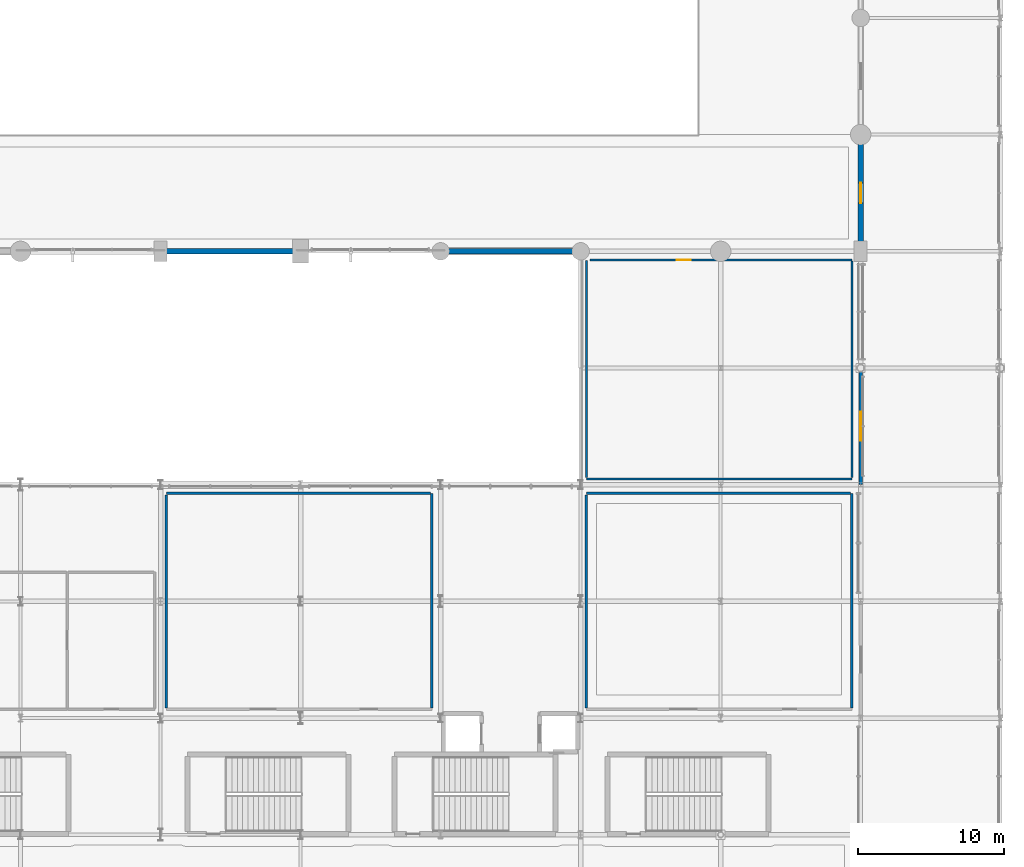
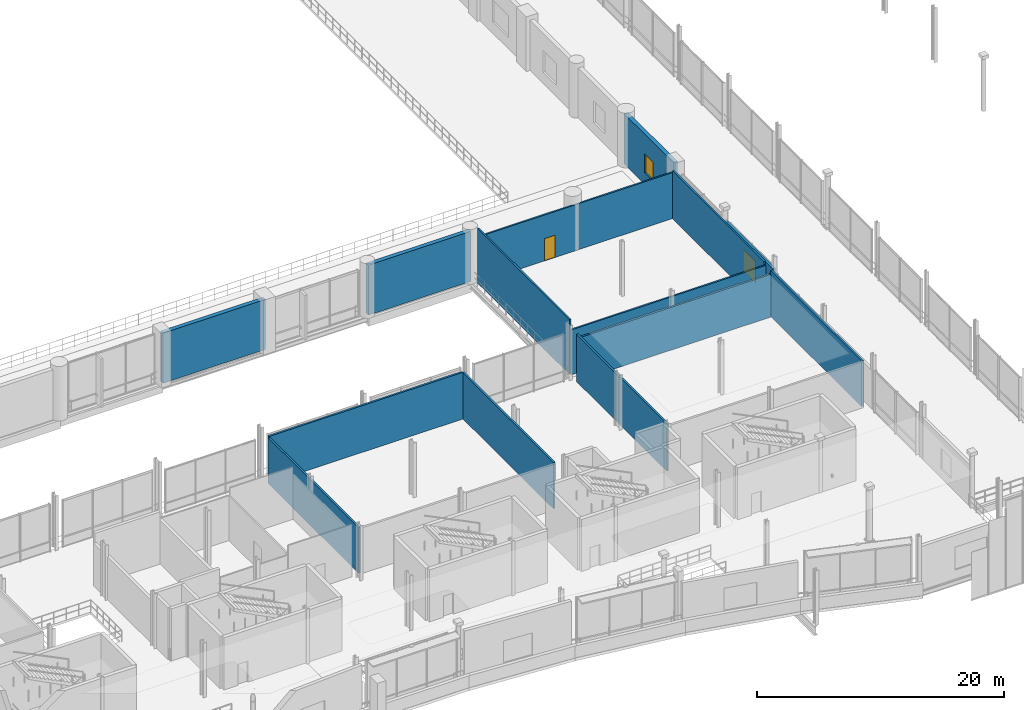
# One storey, part 78 of 129: 14 walls, 2 windows, 1 door, 3 openings.
"""IFC4 building model written with IfcOpenShell, lengths in metres."""

from ifc_helpers import new_model, si_unit, direction, frame, frame_2d, origin, place, context, subcontext, project, spatial, rectangle, extrude, material, layer, layer_set, type_object, element, fill, save


model = new_model("IFC4")

# Units and contexts
model_context = context("Model", 3, precision=1e-05, world=origin(), true_north=direction((0.0, 1.0)))
body_context = subcontext(model_context, "Body", "Model", "MODEL_VIEW")
ifc_project = project(units=[si_unit("LENGTHUNIT", "METRE"), si_unit("AREAUNIT", "SQUARE_METRE"), si_unit("VOLUMEUNIT", "CUBIC_METRE"), si_unit("PLANEANGLEUNIT", "RADIAN"), si_unit("MASSUNIT", "GRAM", prefix="KILO")], contexts=[model_context])

# Site, building, storey
site_placement = place(None, origin())
site = spatial("IfcSite", under=ifc_project, at=site_placement, CompositionType="ELEMENT")
building_placement = place(site_placement, origin())
building = spatial("IfcBuilding", under=site, at=building_placement, Name="Danafjord Basin Convention Centre", CompositionType="ELEMENT")
storey_placement = place(building_placement, frame((0.0, 0.0, 6.0)))
storey = spatial("IfcBuildingStorey", under=building, at=storey_placement, Name="L01", CompositionType="ELEMENT", Elevation=6.0)

# Walls
ifc_material_1 = material(Name="Precast concrete C45/55", Category="concrete")
ifc_layer_1 = layer(ifc_material_1, 0.3798828125)
ifc_layer_set_1 = layer_set([ifc_layer_1], Name="Precast concrete C45/55")
wall_type_1 = type_object("IfcWallType", Name="WALL-EW-PC380", PredefinedType="SOLIDWALL", material=ifc_layer_set_1)
for number, where, z_axis, x_axis, name in (
    (1, (67.199951171875, 56.0, 0.0), (0.0, 0.0, 1.0), (1.0, 0.0, 0.0), "Exhibition hall S upper acoustic precast wall"),
    (2, (86.39990234375, 56.0, 0.0), (0.0, 0.0, 1.0), (1.0, 0.0, 0.0), "Exhibition hall S upper acoustic precast wall"),
):
    element("IfcWall", number, at=place(storey_placement, frame(where, z_axis=z_axis, x_axis=x_axis)), inside=storey, type_object=wall_type_1, Name=name, PredefinedType="SOLIDWALL", context=body_context, shape_type="SweptSolid", body=[
        extrude(rectangle(XDim=9.60009765625, YDim=0.3798828125, at=frame_2d((4.800048828125, 0.0))), origin(), (0.0, 0.0, 1.0), 4.949951171875),
    ])

# Wall, opening, window
wall_1_placement = place(storey_placement, frame((115.199951171875, 56.0, 0.0), z_axis=(0.0, 0.0, 1.0), x_axis=(0.0, 1.0, 0.0)))
wall_1 = element("IfcWall", 3, at=wall_1_placement, inside=storey, type_object=wall_type_1, Name="Exhibition hall E upper precast wall", PredefinedType="SOLIDWALL", context=body_context, shape_type="SweptSolid", body=[
    extrude(rectangle(XDim=8.0, YDim=0.3798828125, at=frame_2d((4.0, 0.0))), origin(), (0.0, 0.0, 1.0), 4.949951171875),
])
opening_1_placement = place(wall_1_placement, frame((3.300048828125, 0.0, 1.10009765625)))
opening_1 = element("IfcOpeningElement", 4, at=opening_1_placement, cuts=wall_1, Name="Opening WN-02", PredefinedType="OPENING", context=body_context, shape_type="SweptSolid", body=[
    extrude(rectangle(XDim=1.39990234375, YDim=1.89990234375, at=frame_2d((0.699951171875, 0.949951171875))), frame((0.0, 0.199951171875, 0.0), z_axis=(0.0, -1.0, 0.0), x_axis=(1.0, 0.0, 0.0)), (0.0, 0.0, 1.0), 0.39990234375),
])
ifc_material_2 = material(Name="Thermally broken aluminium and triple low-E glass", Category="aluminium")
window_type_1 = type_object("IfcWindowType", Name="WIN-WN-02", PartitioningType="SINGLE_PANEL", PredefinedType="WINDOW", material=ifc_material_2)
window_1_placement = place(opening_1_placement, origin())
window_1 = element("IfcWindow", 5, at=window_1_placement, inside=storey, type_object=window_type_1, Name="L01 hall window WN-02", OverallHeight=1.89990234375, OverallWidth=1.39990234375, PartitioningType="SINGLE_PANEL", PredefinedType="WINDOW", context=body_context, shape_type="SweptSolid", body=[
    extrude(rectangle(XDim=1.39990234375, YDim=1.89990234375, at=frame_2d((0.699951171875, 0.949951171875))), frame((0.0, 0.030029296875, 0.0), z_axis=(0.0, -1.0, 0.0), x_axis=(1.0, 0.0, 0.0)), (0.0, 0.0, 1.0), 0.06005859375),
])
fill(opening_1, window_1)

ifc_material_3 = material(Name="Concrete C35/45", Category="concrete")
ifc_layer_2 = layer(ifc_material_3, 0.260009765625)
ifc_layer_set_2 = layer_set([ifc_layer_2], Name="Concrete C35/45")
wall_type_2 = type_object("IfcWallType", Name="WALL-EW-STD260", PredefinedType="STANDARD", material=ifc_layer_set_2)
wall_2_placement = place(storey_placement, frame((115.199951171875, 40.0, 0.0), z_axis=(0.0, 0.0, 1.0), x_axis=(0.0, 1.0, 0.0)))
wall_2 = element("IfcWall", 6, at=wall_2_placement, inside=storey, type_object=wall_type_2, Name="L01 E wing facade wall", PredefinedType="STANDARD", context=body_context, shape_type="SweptSolid", body=[
    extrude(rectangle(XDim=8.0, YDim=0.260009765625, at=frame_2d((4.0, 0.0))), origin(), (0.0, 0.0, 1.0), 4.10498046875),
])
opening_2_placement = place(wall_2_placement, frame((3.0, 0.0, 0.89990234375)))
opening_2 = element("IfcOpeningElement", 7, at=opening_2_placement, cuts=wall_2, Name="Opening WN-05", PredefinedType="OPENING", context=body_context, shape_type="SweptSolid", body=[
    extrude(rectangle(XDim=2.0, YDim=2.10009765625, at=frame_2d((1.0, 1.050048828125))), frame((0.0, 0.139892578125, 0.0), z_axis=(0.0, -1.0, 0.0), x_axis=(1.0, 0.0, 0.0)), (0.0, 0.0, 1.0), 0.280029296875),
])
window_type_2 = type_object("IfcWindowType", Name="WIN-WN-05", PartitioningType="SINGLE_PANEL", PredefinedType="WINDOW", material=ifc_material_2)
window_2_placement = place(opening_2_placement, origin())
window_2 = element("IfcWindow", 8, at=window_2_placement, inside=storey, type_object=window_type_2, Name="L01 E window WN-05", OverallHeight=2.10009765625, OverallWidth=2.0, PartitioningType="SINGLE_PANEL", PredefinedType="WINDOW", context=body_context, shape_type="SweptSolid", body=[
    extrude(rectangle(XDim=2.0, YDim=2.10009765625, at=frame_2d((1.0, 1.050048828125))), frame((0.0, 0.030029296875, 0.0), z_axis=(0.0, -1.0, 0.0), x_axis=(1.0, 0.0, 0.0)), (0.0, 0.0, 1.0), 0.06005859375),
])
fill(opening_2, window_2)

# Walls
ifc_material_4 = material(Name="Acoustic double-board gypsum stud partition")
ifc_layer_3 = layer(ifc_material_4, 0.175048828125)
ifc_layer_set_3 = layer_set([ifc_layer_3], Name="Acoustic double-board gypsum stud partition")
wall_type_3 = type_object("IfcWallType", Name="WALL-PT-AC175", PredefinedType="PARTITIONING", material=ifc_layer_set_3)
wall_3_placement = place(storey_placement, frame((85.800048828125, 24.69140625, 0.0), z_axis=(0.0, 0.0, 1.0), x_axis=(0.0, 1.0, 0.0)))
element("IfcWall", 9, at=wall_3_placement, inside=storey, type_object=wall_type_3, Name="Breakout Seminar Room M103 east partition", PredefinedType="PARTITIONING", context=body_context, shape_type="SweptSolid", body=[
    extrude(rectangle(XDim=14.70849609375, YDim=0.175048828125, at=frame_2d((7.354248046875, 0.0))), origin(), (0.0, 0.0, 1.0), 4.570068359375),
])
wall_4_placement = place(storey_placement, frame((85.70849609375, 39.39990234375, 0.0), z_axis=(0.0, 0.0, 1.0), x_axis=(-1.0, 0.0, 0.0)))
element("IfcWall", 10, at=wall_4_placement, inside=storey, type_object=wall_type_3, Name="Breakout Seminar Room M103 north partition", PredefinedType="PARTITIONING", context=body_context, shape_type="SweptSolid", body=[
    extrude(rectangle(XDim=18.1083984375, YDim=0.175048828125, at=frame_2d((9.05419921875, 0.0))), origin(), (0.0, 0.0, 1.0), 4.6201171875),
])
wall_5_placement = place(storey_placement, frame((67.60009765625, 39.30859375, 0.0), z_axis=(0.0, 0.0, 1.0), x_axis=(0.0, -1.0, 0.0)))
element("IfcWall", 11, at=wall_5_placement, inside=storey, type_object=wall_type_3, Name="Breakout Seminar Room M103 west partition", PredefinedType="PARTITIONING", context=body_context, shape_type="SweptSolid", body=[
    extrude(rectangle(XDim=14.6171875, YDim=0.175048828125, at=frame_2d((7.30859375, 0.0))), origin(), (0.0, 0.0, 1.0), 4.52001953125),
])
wall_6_placement = place(storey_placement, frame((114.60009765625, 24.69140625, 0.0), z_axis=(0.0, 0.0, 1.0), x_axis=(0.0, 1.0, 0.0)))
element("IfcWall", 12, at=wall_6_placement, inside=storey, type_object=wall_type_3, Name="Breakout Seminar Room M104 east partition", PredefinedType="PARTITIONING", context=body_context, shape_type="SweptSolid", body=[
    extrude(rectangle(XDim=14.70849609375, YDim=0.175048828125, at=frame_2d((7.354248046875, 0.0))), origin(), (0.0, 0.0, 1.0), 4.530029296875),
])
wall_7_placement = place(storey_placement, frame((114.508544921875, 39.39990234375, 0.0), z_axis=(0.0, 0.0, 1.0), x_axis=(-1.0, 0.0, 0.0)))
element("IfcWall", 13, at=wall_7_placement, inside=storey, type_object=wall_type_3, Name="Breakout Seminar Room M104 north partition", PredefinedType="PARTITIONING", context=body_context, shape_type="SweptSolid", body=[
    extrude(rectangle(XDim=18.108642578125, YDim=0.175048828125, at=frame_2d((9.05419921875, 0.0))), origin(), (0.0, 0.0, 1.0), 4.219970703125),
])
wall_8_placement = place(storey_placement, frame((96.39990234375, 39.30859375, 0.0), z_axis=(0.0, 0.0, 1.0), x_axis=(0.0, -1.0, 0.0)))
element("IfcWall", 14, at=wall_8_placement, inside=storey, type_object=wall_type_3, Name="Breakout Seminar Room M104 west partition", PredefinedType="PARTITIONING", context=body_context, shape_type="SweptSolid", body=[
    extrude(rectangle(XDim=14.6171875, YDim=0.175048828125, at=frame_2d((7.30859375, 0.0))), origin(), (0.0, 0.0, 1.0), 4.669921875),
])

# Wall, opening, door
ifc_material_5 = material(Name="Fire-rated gypsum metal-stud partition")
ifc_layer_4 = layer(ifc_material_5, 0.14990234375)
ifc_layer_set_4 = layer_set([ifc_layer_4], Name="Fire-rated gypsum metal-stud partition")
wall_type_4 = type_object("IfcWallType", Name="WALL-PT-ST150", PredefinedType="PARTITIONING", material=ifc_layer_set_4)
wall_9_placement = place(storey_placement, frame((114.60009765625, 55.39990234375, 0.0), z_axis=(0.0, 0.0, 1.0), x_axis=(-1.0, 0.0, 0.0)))
wall_9 = element("IfcWall", 15, at=wall_9_placement, inside=storey, type_object=wall_type_4, Name="Congress Organiser and Press Suite north partition", PredefinedType="PARTITIONING", context=body_context, shape_type="SweptSolid", body=[
    extrude(rectangle(XDim=17.960205078125, YDim=0.14990234375, at=frame_2d((8.97998046875, 0.0))), origin(), (0.0, 0.0, 1.0), 4.5400390625),
])
opening_3_placement = place(wall_9_placement, frame((11.037109375, 0.0, 0.0)))
opening_3 = element("IfcOpeningElement", 16, at=opening_3_placement, cuts=wall_9, Name="Opening FD-S11", PredefinedType="OPENING", context=body_context, shape_type="SweptSolid", body=[
    extrude(rectangle(XDim=0.97998046875, YDim=2.199951171875, at=frame_2d((0.489990234375, 1.10009765625))), frame((0.0, 0.0849609375, 0.0), z_axis=(0.0, -1.0, 0.0), x_axis=(1.0, 0.0, 0.0)), (0.0, 0.0, 1.0), 0.169921875),
])
ifc_material_6 = material(Name="Powder-coated steel and Nordic oak", Category="steel")
door_type = type_object("IfcDoorType", Name="DOOR-FD-S11", OperationType="NOTDEFINED", PredefinedType="DOOR", material=ifc_material_6)
door_placement = place(opening_3_placement, origin())
door = element("IfcDoor", 17, at=door_placement, inside=storey, type_object=door_type, Name="Congress Organiser and Press Suite Entrance Door", OperationType="SINGLE_SWING_RIGHT", OverallHeight=2.199951171875, OverallWidth=0.97998046875, PredefinedType="DOOR", context=body_context, shape_type="SweptSolid", body=[
    extrude(rectangle(XDim=0.97998046875, YDim=2.199951171875, at=frame_2d((0.489990234375, 1.10009765625))), frame((0.0, 0.02490234375, 0.0), z_axis=(0.0, -1.0, 0.0), x_axis=(1.0, 0.0, 0.0)), (0.0, 0.0, 1.0), 0.050048828125),
])
fill(opening_3, door)

# Walls
wall_10_placement = place(storey_placement, frame((96.39990234375, 40.39990234375, 0.0), z_axis=(0.0, 0.0, 1.0), x_axis=(1.0, 0.0, 0.0)))
element("IfcWall", 18, at=wall_10_placement, inside=storey, type_object=wall_type_4, Name="Congress Organiser and Press Suite south partition", PredefinedType="PARTITIONING", context=body_context, shape_type="SweptSolid", body=[
    extrude(rectangle(XDim=18.2001953125, YDim=0.14990234375, at=frame_2d((9.10009765625, 0.0))), origin(), (0.0, 0.0, 1.0), 4.43994140625),
])
wall_11_placement = place(storey_placement, frame((114.60009765625, 40.47900390625, 0.0), z_axis=(0.0, 0.0, 1.0), x_axis=(0.0, 1.0, 0.0)))
element("IfcWall", 19, at=wall_11_placement, inside=storey, type_object=wall_type_4, Name="Congress Organiser and Press Suite east partition", PredefinedType="PARTITIONING", context=body_context, shape_type="SweptSolid", body=[
    extrude(rectangle(XDim=14.842041015625, YDim=0.14990234375, at=frame_2d((7.4208984375, 0.0))), origin(), (0.0, 0.0, 1.0), 4.75),
])
wall_12_placement = place(storey_placement, frame((96.39990234375, 55.360107421875, 0.0), z_axis=(0.0, 0.0, 1.0), x_axis=(0.0, -1.0, 0.0)))
element("IfcWall", 20, at=wall_12_placement, inside=storey, type_object=wall_type_4, Name="Congress Organiser and Press Suite west partition", PredefinedType="PARTITIONING", context=body_context, shape_type="SweptSolid", body=[
    extrude(rectangle(XDim=14.881103515625, YDim=0.14990234375, at=frame_2d((7.4404296875, 0.0))), origin(), (0.0, 0.0, 1.0), 5.39990234375),
])

save(model, "model.ifc")
